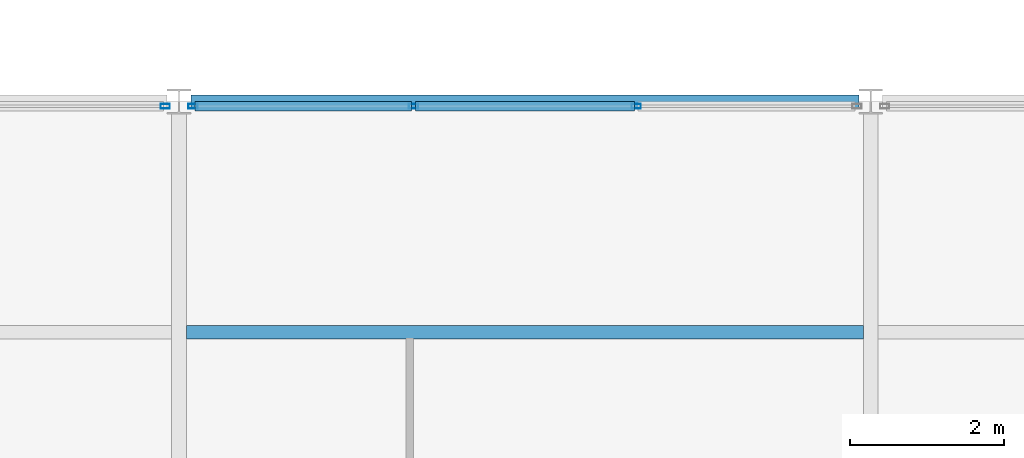
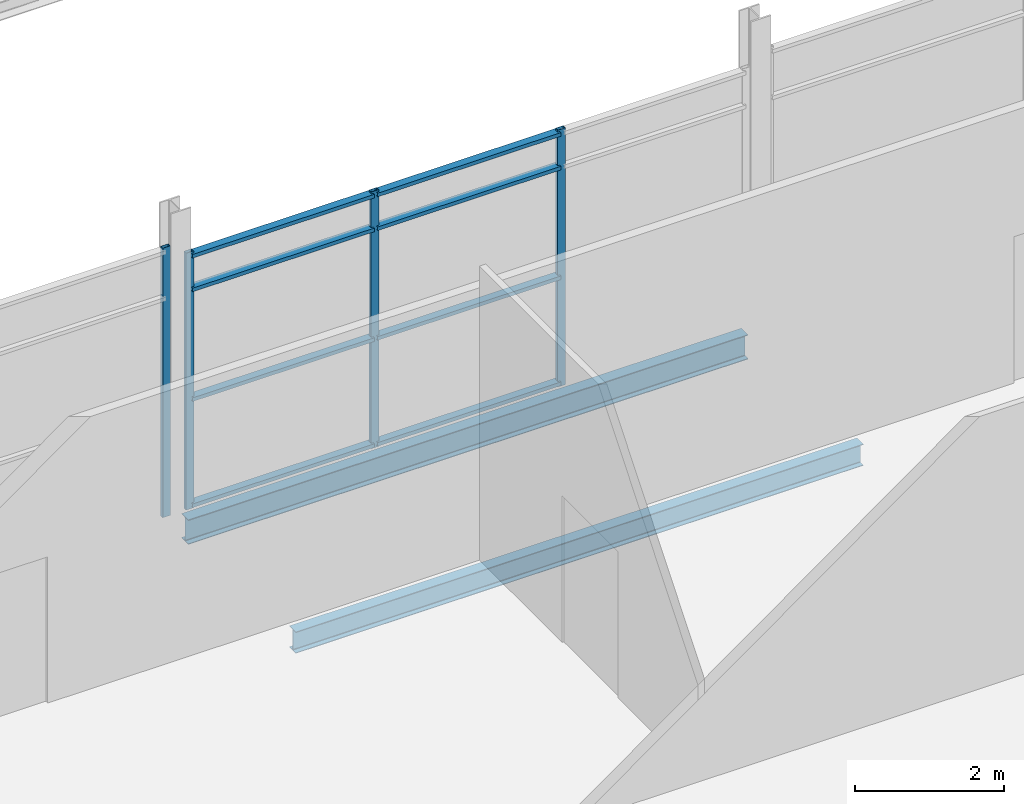
# One storey, part 29 of 115: 12 members, 2 beams, 2 elements without a shape of their own.
"""IFC4 building model written with IfcOpenShell, lengths in metres."""

from ifc_helpers import new_model, si_unit, direction, frame, origin, origin_2d, place, context, subcontext, project, spatial, hollow_rectangle, i_section, extrude, material, layer, layer_set, material_profile, profile_set, type_object, element, aggregate, save


model = new_model("IFC4")

# Units and contexts
model_context = context("Model", 3, precision=1e-05, world=origin(), true_north=direction((0.0, 1.0)))
body_context = subcontext(model_context, "Body", "Model", "MODEL_VIEW")
ifc_project = project(units=[si_unit("LENGTHUNIT", "METRE"), si_unit("AREAUNIT", "SQUARE_METRE"), si_unit("VOLUMEUNIT", "CUBIC_METRE"), si_unit("PLANEANGLEUNIT", "RADIAN"), si_unit("MASSUNIT", "GRAM", prefix="KILO")], contexts=[model_context])

# Site, building, storey
site_placement = place(None, origin())
site = spatial("IfcSite", under=ifc_project, at=site_placement, CompositionType="ELEMENT")
building_placement = place(site_placement, origin())
building = spatial("IfcBuilding", under=site, at=building_placement, Name="Shorebreak Coast Museum", CompositionType="ELEMENT")
storey_placement = place(building_placement, frame((0.0, 0.0, 11.0)))
storey = spatial("IfcBuildingStorey", under=building, at=storey_placement, Name="L02", CompositionType="ELEMENT", Elevation=11.0)

# Beams
ifc_material_1 = material(Name="Steel Grade 300", Category="steel")
ifc_material_profile_1 = material_profile(ifc_material_1, i_section(OverallWidth=0.177978515625, OverallDepth=0.402587890625, WebThickness=0.007568359375, FlangeThickness=0.010986328125, FilletRadius=0.011474609375, at=origin_2d()), Name="410UB53.7")
ifc_profile_set_1 = profile_set([ifc_material_profile_1], Name="Steel Grade 300")
beam_type_1 = type_object("IfcBeamType", Name="Floor girder east-west 410UB53.7", PredefinedType="BEAM", material=ifc_profile_set_1)
beam_1_placement = place(storey_placement, frame((81.155517578125, 63.0, -0.376220703125), z_axis=(1.0, 0.0, 0.0), x_axis=(0.0, 1.0, 0.0)))
element("IfcBeam", 1, at=beam_1_placement, inside=storey, type_object=beam_type_1, Name="Floor girder east-west L02 10H", PredefinedType="BEAM", context=body_context, shape_type="SweptSolid", body=[
    extrude(i_section(OverallWidth=0.177978515625, OverallDepth=0.402587890625, WebThickness=0.007568359375, FlangeThickness=0.010986328125, FilletRadius=0.011474609375, at=origin_2d()), origin(), (0.0, 0.0, 1.0), 8.68896484375),
])
ifc_material_2 = material(Name="Steel Grade 300", Category="steel")
ifc_material_profile_2 = material_profile(ifc_material_2, i_section(OverallWidth=0.1708984375, OverallDepth=0.35205078125, WebThickness=0.0068359375, FlangeThickness=0.009765625, FilletRadius=0.011474609375, at=origin_2d()), Name="360UB44.7")
ifc_profile_set_2 = profile_set([ifc_material_profile_2], Name="Steel Grade 300")
beam_type_2 = type_object("IfcBeamType", Name="Floor joist 360UB44.7", PredefinedType="JOIST", material=ifc_profile_set_2)
beam_2_placement = place(storey_placement, frame((81.095458984375, 60.0, -0.35107421875), z_axis=(1.0, 0.0, 0.0), x_axis=(0.0, 1.0, 0.0)))
element("IfcBeam", 2, at=beam_2_placement, inside=storey, type_object=beam_type_2, Name="Floor joist L02 bay 10G at 6000 mm", PredefinedType="JOIST", context=body_context, shape_type="SweptSolid", body=[
    extrude(i_section(OverallWidth=0.1708984375, OverallDepth=0.35205078125, WebThickness=0.0068359375, FlangeThickness=0.009765625, FilletRadius=0.011474609375, at=origin_2d()), origin(), (0.0, 0.0, 1.0), 8.80908203125),
])

# Curtain wall, member
ifc_material_3 = material(Name="Aluminium", Category="aluminium")
ifc_layer = layer(ifc_material_3, 0.1201171875)
ifc_layer_set = layer_set([ifc_layer], Name="Aluminium")
curtain_wall_type = type_object("IfcCurtainWallType", Name="Atrium fire screen", PredefinedType="NOTDEFINED", material=ifc_layer_set)
curtain_wall_1_placement = place(storey_placement, origin())
curtain_wall_1 = element("IfcCurtainWall", 3, at=curtain_wall_1_placement, inside=storey, type_object=curtain_wall_type, Name="Atrium screen L02 S 17", PredefinedType="NOTDEFINED")
ifc_material_4 = material(Name="Aluminium", Category="aluminium")
ifc_material_profile_3 = material_profile(ifc_material_4, hollow_rectangle(XDim=0.06005859375, YDim=0.1201171875, WallThickness=0.00341796875, at=origin_2d()), Name="AL 120x60 RHS")
ifc_profile_set_3 = profile_set([ifc_material_profile_3], Name="Aluminium")
member_type_1 = type_object("IfcMemberType", Name="Screen mullion 50 x 120", PredefinedType="MULLION", material=ifc_profile_set_3)
member_1_placement = place(storey_placement, frame((80.819580078125, 62.93994140625, 0.0), z_axis=(0.0, 0.0, 1.0), x_axis=(0.0, 1.0, 0.0)))
member_1 = element("IfcMember", 4, at=member_1_placement, type_object=member_type_1, Name="CW6 mullion 4", PredefinedType="MULLION", context=body_context, shape_type="SweptSolid", body=[
    extrude(hollow_rectangle(XDim=0.06005859375, YDim=0.1201171875, WallThickness=0.00341796875, at=origin_2d()), origin(), (0.0, 0.0, 1.0), 4.42236328125),
])
aggregate(curtain_wall_1, [member_1])

# Curtain wall, members
curtain_wall_2_placement = place(storey_placement, origin())
curtain_wall_2 = element("IfcCurtainWall", 5, at=curtain_wall_2_placement, inside=storey, type_object=curtain_wall_type, Name="Atrium screen L02 S 18", PredefinedType="NOTDEFINED")
member_2_placement = place(storey_placement, frame((81.180419921875, 62.93994140625, 0.0), z_axis=(0.0, 0.0, 1.0), x_axis=(0.0, 1.0, 0.0)))
member_2 = element("IfcMember", 6, at=member_2_placement, type_object=member_type_1, Name="CW4 mullion 1", PredefinedType="MULLION", context=body_context, shape_type="SweptSolid", body=[
    extrude(hollow_rectangle(XDim=0.06005859375, YDim=0.1201171875, WallThickness=0.00341796875, at=origin_2d()), origin(), (0.0, 0.0, 1.0), 4.212890625),
])
member_3_placement = place(storey_placement, frame((84.0517578125, 62.93994140625, 0.0), z_axis=(0.0, 0.0, 1.0), x_axis=(0.0, 1.0, 0.0)))
member_3 = element("IfcMember", 7, at=member_3_placement, type_object=member_type_1, Name="CW4 mullion 2", PredefinedType="MULLION", context=body_context, shape_type="SweptSolid", body=[
    extrude(hollow_rectangle(XDim=0.06005859375, YDim=0.1201171875, WallThickness=0.00341796875, at=origin_2d()), origin(), (0.0, 0.0, 1.0), 4.212890625),
])
member_4_placement = place(storey_placement, frame((86.9482421875, 62.93994140625, 0.0), z_axis=(0.0, 0.0, 1.0), x_axis=(0.0, 1.0, 0.0)))
member_4 = element("IfcMember", 8, at=member_4_placement, type_object=member_type_1, Name="CW4 mullion 3", PredefinedType="MULLION", context=body_context, shape_type="SweptSolid", body=[
    extrude(hollow_rectangle(XDim=0.06005859375, YDim=0.1201171875, WallThickness=0.00341796875, at=origin_2d()), origin(), (0.0, 0.0, 1.0), 4.212890625),
])
ifc_material_5 = material(Name="Aluminium", Category="aluminium")
ifc_material_profile_4 = material_profile(ifc_material_5, hollow_rectangle(XDim=0.1201171875, YDim=0.06005859375, WallThickness=0.00341796875, at=origin_2d()), Name="AL 60x120 RHS")
ifc_profile_set_4 = profile_set([ifc_material_profile_4], Name="Aluminium")
member_type_2 = type_object("IfcMemberType", Name="Screen transom 120 x 50", PredefinedType="USERDEFINED", material=ifc_profile_set_4)
member_5_placement = place(storey_placement, frame((81.20556640625, 62.93994140625, 0.06005859375), z_axis=(1.0, 0.0, 0.0), x_axis=(0.0, 1.0, 0.0)))
member_5 = element("IfcMember", 9, at=member_5_placement, type_object=member_type_2, Name="CW4 transom 1.1", ObjectType="TRANSOM", PredefinedType="USERDEFINED", context=body_context, shape_type="SweptSolid", body=[
    extrude(hollow_rectangle(XDim=0.1201171875, YDim=0.06005859375, WallThickness=0.00341796875, at=origin_2d()), origin(), (0.0, 0.0, 1.0), 2.8212890625),
])
member_6_placement = place(storey_placement, frame((81.20556640625, 62.93994140625, 1.800048828125), z_axis=(1.0, 0.0, 0.0), x_axis=(0.0, 1.0, 0.0)))
member_6 = element("IfcMember", 10, at=member_6_placement, type_object=member_type_2, Name="CW4 transom 1.2", ObjectType="TRANSOM", PredefinedType="USERDEFINED", context=body_context, shape_type="SweptSolid", body=[
    extrude(hollow_rectangle(XDim=0.1201171875, YDim=0.06005859375, WallThickness=0.00341796875, at=origin_2d()), origin(), (0.0, 0.0, 1.0), 2.8212890625),
])
member_7_placement = place(storey_placement, frame((81.20556640625, 62.93994140625, 3.60009765625), z_axis=(1.0, 0.0, 0.0), x_axis=(0.0, 1.0, 0.0)))
member_7 = element("IfcMember", 11, at=member_7_placement, type_object=member_type_2, Name="CW4 transom 1.3", ObjectType="TRANSOM", PredefinedType="USERDEFINED", context=body_context, shape_type="SweptSolid", body=[
    extrude(hollow_rectangle(XDim=0.1201171875, YDim=0.06005859375, WallThickness=0.00341796875, at=origin_2d()), origin(), (0.0, 0.0, 1.0), 2.8212890625),
])
member_8_placement = place(storey_placement, frame((81.20556640625, 62.93994140625, 4.153076171875), z_axis=(1.0, 0.0, 0.0), x_axis=(0.0, 1.0, 0.0)))
member_8 = element("IfcMember", 12, at=member_8_placement, type_object=member_type_2, Name="CW4 transom 1.4", ObjectType="TRANSOM", PredefinedType="USERDEFINED", context=body_context, shape_type="SweptSolid", body=[
    extrude(hollow_rectangle(XDim=0.1201171875, YDim=0.06005859375, WallThickness=0.00341796875, at=origin_2d()), origin(), (0.0, 0.0, 1.0), 2.8212890625),
])
member_9_placement = place(storey_placement, frame((84.076904296875, 62.93994140625, 0.06005859375), z_axis=(1.0, 0.0, 0.0), x_axis=(0.0, 1.0, 0.0)))
member_9 = element("IfcMember", 13, at=member_9_placement, type_object=member_type_2, Name="CW4 transom 2.1", ObjectType="TRANSOM", PredefinedType="USERDEFINED", context=body_context, shape_type="SweptSolid", body=[
    extrude(hollow_rectangle(XDim=0.1201171875, YDim=0.06005859375, WallThickness=0.00341796875, at=origin_2d()), origin(), (0.0, 0.0, 1.0), 2.84619140625),
])
member_10_placement = place(storey_placement, frame((84.076904296875, 62.93994140625, 1.800048828125), z_axis=(1.0, 0.0, 0.0), x_axis=(0.0, 1.0, 0.0)))
member_10 = element("IfcMember", 14, at=member_10_placement, type_object=member_type_2, Name="CW4 transom 2.2", ObjectType="TRANSOM", PredefinedType="USERDEFINED", context=body_context, shape_type="SweptSolid", body=[
    extrude(hollow_rectangle(XDim=0.1201171875, YDim=0.06005859375, WallThickness=0.00341796875, at=origin_2d()), origin(), (0.0, 0.0, 1.0), 2.84619140625),
])
member_11_placement = place(storey_placement, frame((84.076904296875, 62.93994140625, 3.60009765625), z_axis=(1.0, 0.0, 0.0), x_axis=(0.0, 1.0, 0.0)))
member_11 = element("IfcMember", 15, at=member_11_placement, type_object=member_type_2, Name="CW4 transom 2.3", ObjectType="TRANSOM", PredefinedType="USERDEFINED", context=body_context, shape_type="SweptSolid", body=[
    extrude(hollow_rectangle(XDim=0.1201171875, YDim=0.06005859375, WallThickness=0.00341796875, at=origin_2d()), origin(), (0.0, 0.0, 1.0), 2.84619140625),
])
member_12_placement = place(storey_placement, frame((84.076904296875, 62.93994140625, 4.153076171875), z_axis=(1.0, 0.0, 0.0), x_axis=(0.0, 1.0, 0.0)))
member_12 = element("IfcMember", 16, at=member_12_placement, type_object=member_type_2, Name="CW4 transom 2.4", ObjectType="TRANSOM", PredefinedType="USERDEFINED", context=body_context, shape_type="SweptSolid", body=[
    extrude(hollow_rectangle(XDim=0.1201171875, YDim=0.06005859375, WallThickness=0.00341796875, at=origin_2d()), origin(), (0.0, 0.0, 1.0), 2.84619140625),
])
aggregate(curtain_wall_2, [member_2, member_3, member_4, member_5, member_6, member_7, member_8, member_9, member_10, member_11, member_12])

save(model, "model.ifc")
